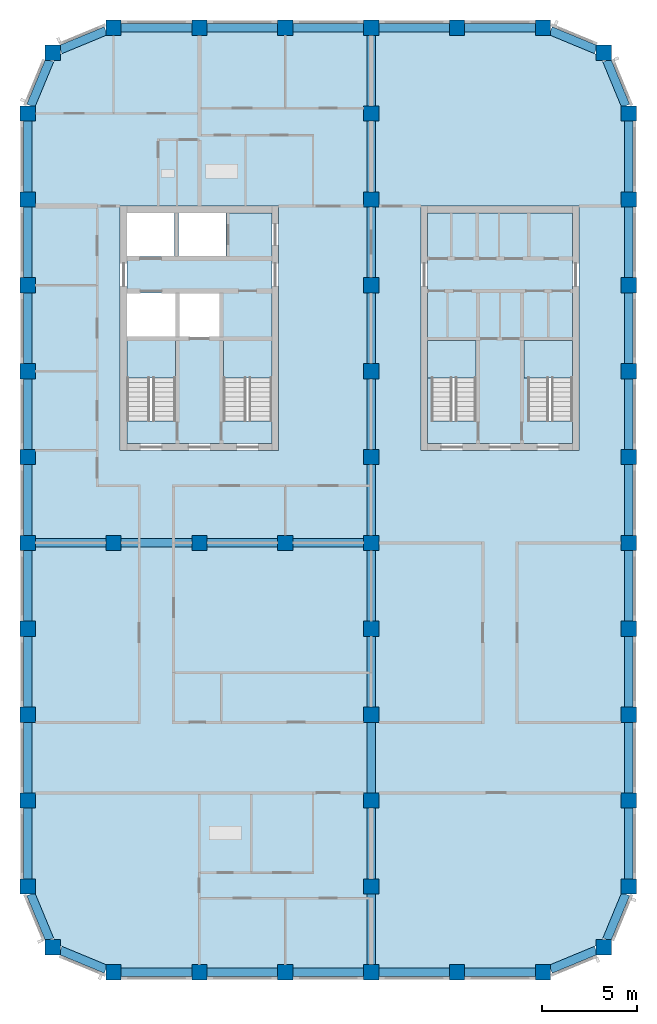
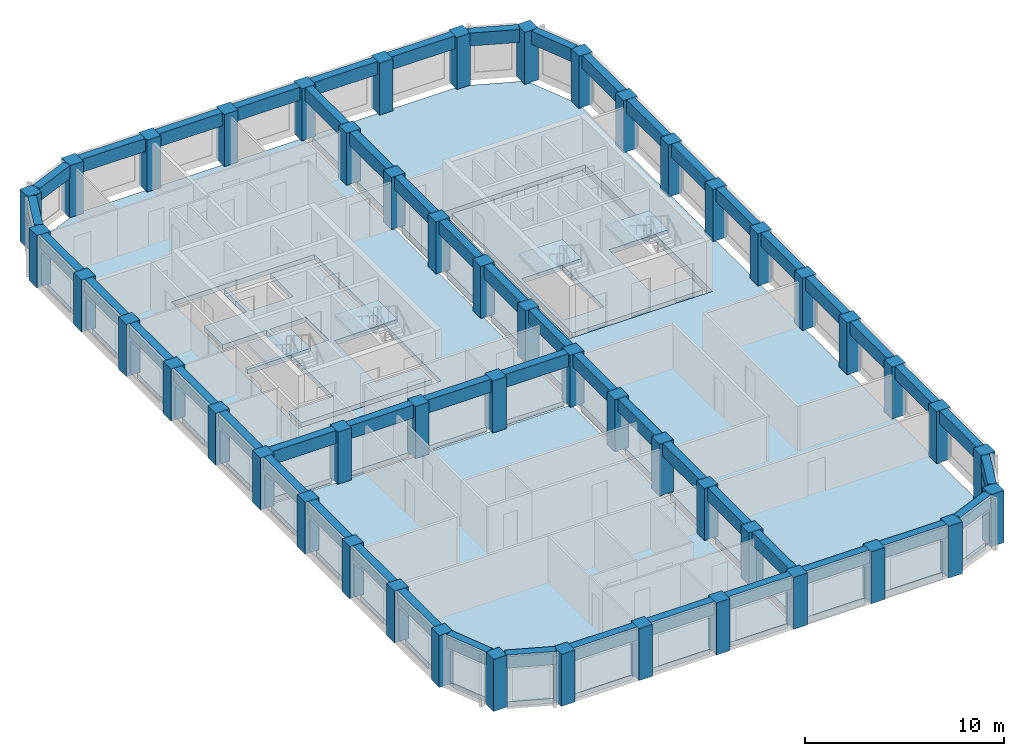
# One storey, part 1 of 9: 51 beams, 49 columns, 9 slabs, 4 elements without a shape of their own.
"""IFC4 building model written with IfcOpenShell, lengths in metres."""

from ifc_helpers import new_model, si_unit, direction, frame, origin, origin_2d, place, context, subcontext, project, spatial, polyline, rectangle, outline, extrude, material, layer, layer_set, material_profile, profile_set, type_object, element, aggregate, save


model = new_model("IFC4")

# Units and contexts
model_context = context("Model", 3, precision=1e-05, world=origin(), true_north=direction((0.0, 1.0)))
body_context = subcontext(model_context, "Body", "Model", "MODEL_VIEW")
ifc_project = project(units=[si_unit("LENGTHUNIT", "METRE"), si_unit("AREAUNIT", "SQUARE_METRE"), si_unit("VOLUMEUNIT", "CUBIC_METRE"), si_unit("PLANEANGLEUNIT", "RADIAN"), si_unit("MASSUNIT", "GRAM", prefix="KILO")], contexts=[model_context])

# Site, building, storey
site_placement = place(None, origin())
site = spatial("IfcSite", under=ifc_project, at=site_placement, CompositionType="ELEMENT")
building_placement = place(site_placement, origin())
building = spatial("IfcBuilding", under=site, at=building_placement, Name="Girih Gate Residences", CompositionType="ELEMENT")
storey_placement = place(building_placement, frame((0.0, 0.0, 222.89501953125)))
storey = spatial("IfcBuildingStorey", under=building, at=storey_placement, Name="L62", CompositionType="ELEMENT", Elevation=222.89501953125)

# Columns
ifc_material_1 = material(Name="Concrete C60/75", Category="concrete")
ifc_material_profile_1 = material_profile(ifc_material_1, rectangle(XDim=0.800048828125, YDim=0.800048828125, at=origin_2d()))
ifc_profile_set_1 = profile_set([ifc_material_profile_1], Name="Concrete C60/75")
column_type = type_object("IfcColumnType", Name="Pier RC 800x800 Concrete C60/75", PredefinedType="COLUMN", material=ifc_profile_set_1)
for number, where, z_axis, x_axis, name in (
    (1, (4.5, 0.0, 0.0), (0.0, 0.0, 1.0), (1.0, 0.0, 0.0), "Pier P2A L62"),
    (2, (9.0, 0.0, 0.0), (0.0, 0.0, 1.0), (1.0, 0.0, 0.0), "Pier P3A L62"),
    (3, (13.5, 0.0, 0.0), (0.0, 0.0, 1.0), (1.0, 0.0, 0.0), "Pier P4A L62"),
    (4, (18.0, 0.0, 0.0), (0.0, 0.0, 1.0), (1.0, 0.0, 0.0), "Pier P5A L62"),
    (5, (22.5, 0.0, 0.0), (0.0, 0.0, 1.0), (1.0, 0.0, 0.0), "Pier P6A L62"),
    (6, (27.0, 0.0, 0.0), (0.0, 0.0, 1.0), (1.0, 0.0, 0.0), "Pier P7A L62"),
    (7, (1.318115234375, 1.318115234375, 0.0), (0.0, 0.0, 1.0), (1.0, 0.0, 0.0), "Pier P1ANE L62"),
    (8, (30.181884765625, 1.318115234375, 0.0), (0.0, 0.0, 1.0), (1.0, 0.0, 0.0), "Pier P8ANW L62"),
    (9, (0.0, 4.5, 0.0), (0.0, 0.0, 1.0), (1.0, 0.0, 0.0), "Pier P1B L62"),
    (10, (18.0, 4.5, 0.0), (0.0, 0.0, 1.0), (1.0, 0.0, 0.0), "Pier P5B L62"),
    (11, (31.5, 4.5, 0.0), (0.0, 0.0, 1.0), (1.0, 0.0, 0.0), "Pier P8B L62"),
    (12, (0.0, 9.0, 0.0), (0.0, 0.0, 1.0), (1.0, 0.0, 0.0), "Pier P1C L62"),
    (13, (18.0, 9.0, 0.0), (0.0, 0.0, 1.0), (1.0, 0.0, 0.0), "Pier P5C L62"),
    (14, (31.5, 9.0, 0.0), (0.0, 0.0, 1.0), (1.0, 0.0, 0.0), "Pier P8C L62"),
    (15, (0.0, 13.5, 0.0), (0.0, 0.0, 1.0), (1.0, 0.0, 0.0), "Pier P1D L62"),
    (16, (18.0, 13.5, 0.0), (0.0, 0.0, 1.0), (1.0, 0.0, 0.0), "Pier P5D L62"),
    (17, (31.5, 13.5, 0.0), (0.0, 0.0, 1.0), (1.0, 0.0, 0.0), "Pier P8D L62"),
    (18, (0.0, 18.0, 0.0), (0.0, 0.0, 1.0), (1.0, 0.0, 0.0), "Pier P1E L62"),
    (19, (18.0, 18.0, 0.0), (0.0, 0.0, 1.0), (1.0, 0.0, 0.0), "Pier P5E L62"),
    (20, (31.5, 18.0, 0.0), (0.0, 0.0, 1.0), (1.0, 0.0, 0.0), "Pier P8E L62"),
    (21, (0.0, 22.5, 0.0), (0.0, 0.0, 1.0), (1.0, 0.0, 0.0), "Pier P1F L62"),
    (22, (4.5, 22.5, 0.0), (0.0, 0.0, 1.0), (1.0, 0.0, 0.0), "Pier P2F L62"),
    (23, (9.0, 22.5, 0.0), (0.0, 0.0, 1.0), (1.0, 0.0, 0.0), "Pier P3F L62"),
    (24, (13.5, 22.5, 0.0), (0.0, 0.0, 1.0), (1.0, 0.0, 0.0), "Pier P4F L62"),
    (25, (18.0, 22.5, 0.0), (0.0, 0.0, 1.0), (1.0, 0.0, 0.0), "Pier P5F L62"),
    (26, (31.5, 22.5, 0.0), (0.0, 0.0, 1.0), (1.0, 0.0, 0.0), "Pier P8F L62"),
    (27, (0.0, 27.0, 0.0), (0.0, 0.0, 1.0), (1.0, 0.0, 0.0), "Pier P1G L62"),
    (28, (18.0, 27.0, 0.0), (0.0, 0.0, 1.0), (1.0, 0.0, 0.0), "Pier P5G L62"),
    (29, (31.5, 27.0, 0.0), (0.0, 0.0, 1.0), (1.0, 0.0, 0.0), "Pier P8G L62"),
    (30, (0.0, 31.5, 0.0), (0.0, 0.0, 1.0), (1.0, 0.0, 0.0), "Pier P1H L62"),
    (31, (18.0, 31.5, 0.0), (0.0, 0.0, 1.0), (1.0, 0.0, 0.0), "Pier P5H L62"),
    (32, (31.5, 31.5, 0.0), (0.0, 0.0, 1.0), (1.0, 0.0, 0.0), "Pier P8H L62"),
    (33, (0.0, 36.0, 0.0), (0.0, 0.0, 1.0), (1.0, 0.0, 0.0), "Pier P1I L62"),
    (34, (18.0, 36.0, 0.0), (0.0, 0.0, 1.0), (1.0, 0.0, 0.0), "Pier P5I L62"),
    (35, (31.5, 36.0, 0.0), (0.0, 0.0, 1.0), (1.0, 0.0, 0.0), "Pier P8I L62"),
    (36, (0.0, 40.5, 0.0), (0.0, 0.0, 1.0), (1.0, 0.0, 0.0), "Pier P1J L62"),
    (37, (18.0, 40.5, 0.0), (0.0, 0.0, 1.0), (1.0, 0.0, 0.0), "Pier P5J L62"),
    (38, (31.5, 40.5, 0.0), (0.0, 0.0, 1.0), (1.0, 0.0, 0.0), "Pier P8J L62"),
    (39, (0.0, 45.0, 0.0), (0.0, 0.0, 1.0), (1.0, 0.0, 0.0), "Pier P1K L62"),
    (40, (18.0, 45.0, 0.0), (0.0, 0.0, 1.0), (1.0, 0.0, 0.0), "Pier P5K L62"),
    (41, (31.5, 45.0, 0.0), (0.0, 0.0, 1.0), (1.0, 0.0, 0.0), "Pier P8K L62"),
    (42, (1.318115234375, 48.181884765625, 0.0), (0.0, 0.0, 1.0), (1.0, 0.0, 0.0), "Pier P1LSE L62"),
    (43, (30.181884765625, 48.181884765625, 0.0), (0.0, 0.0, 1.0), (1.0, 0.0, 0.0), "Pier P8LSW L62"),
    (44, (4.5, 49.5, 0.0), (0.0, 0.0, 1.0), (1.0, 0.0, 0.0), "Pier P2L L62"),
    (45, (9.0, 49.5, 0.0), (0.0, 0.0, 1.0), (1.0, 0.0, 0.0), "Pier P3L L62"),
    (46, (13.5, 49.5, 0.0), (0.0, 0.0, 1.0), (1.0, 0.0, 0.0), "Pier P4L L62"),
    (47, (18.0, 49.5, 0.0), (0.0, 0.0, 1.0), (1.0, 0.0, 0.0), "Pier P5L L62"),
    (48, (22.5, 49.5, 0.0), (0.0, 0.0, 1.0), (1.0, 0.0, 0.0), "Pier P6L L62"),
    (49, (27.0, 49.5, 0.0), (0.0, 0.0, 1.0), (1.0, 0.0, 0.0), "Pier P7L L62"),
):
    element("IfcColumn", number, at=place(storey_placement, frame(where, z_axis=z_axis, x_axis=x_axis)), inside=storey, type_object=column_type, Name=name, PredefinedType="COLUMN", context=body_context, shape_type="SweptSolid", body=[
        extrude(rectangle(XDim=0.800048828125, YDim=0.800048828125, at=origin_2d()), origin(), (0.0, 0.0, 1.0), 3.199951171875),
    ])

# Beams
ifc_material_profile_2 = material_profile(ifc_material_1, rectangle(XDim=0.449951171875, YDim=0.800048828125, at=origin_2d()))
ifc_profile_set_2 = profile_set([ifc_material_profile_2], Name="Concrete C60/75")
beam_type = type_object("IfcBeamType", Name="Spandrel girder RC 450x800 Concrete C60/75", PredefinedType="BEAM", material=ifc_profile_set_2)
for number, where, z_axis, x_axis, name in (
    (50, (27.39990234375, 0.165771484375, 2.800048828125), (0.923895659062, 0.382644497107, 0.0), (-0.382644497107, 0.923895659062, 0.0), "Spandrel girder SP-P7A-P8ANW L62"),
    (51, (30.34765625, 1.718017578125, 2.800048828125), (0.382644497107, 0.923895659062, 0.0), (-0.923895659062, 0.382644497107, 0.0), "Spandrel girder SP-P8ANW-P8B L62"),
):
    element("IfcBeam", number, at=place(storey_placement, frame(where, z_axis=z_axis, x_axis=x_axis)), inside=storey, type_object=beam_type, Name=name, PredefinedType="BEAM", context=body_context, shape_type="SweptSolid", body=[
        extrude(rectangle(XDim=0.449951171875, YDim=0.800048828125, at=origin_2d()), origin(), (0.0, 0.0, 1.0), 2.578369140625),
    ])
for number, where, z_axis, x_axis, name in (
    (52, (31.5, 4.89990234375, 2.800048828125), (0.0, 1.0, 0.0), (-1.0, 0.0, 0.0), "Spandrel girder SP-P8B-P8C L62"),
    (53, (31.5, 9.39990234375, 2.800048828125), (0.0, 1.0, 0.0), (-1.0, 0.0, 0.0), "Spandrel girder SP-P8C-P8D L62"),
    (54, (31.5, 13.89990234375, 2.800048828125), (0.0, 1.0, 0.0), (-1.0, 0.0, 0.0), "Spandrel girder SP-P8D-P8E L62"),
    (55, (31.5, 18.39990234375, 2.800048828125), (0.0, 1.0, 0.0), (-1.0, 0.0, 0.0), "Spandrel girder SP-P8E-P8F L62"),
    (56, (31.5, 22.89990234375, 2.800048828125), (0.0, 1.0, 0.0), (-1.0, 0.0, 0.0), "Spandrel girder SP-P8F-P8G L62"),
    (57, (31.5, 27.39990234375, 2.800048828125), (0.0, 1.0, 0.0), (-1.0, 0.0, 0.0), "Spandrel girder SP-P8G-P8H L62"),
    (58, (31.5, 31.89990234375, 2.800048828125), (0.0, 1.0, 0.0), (-1.0, 0.0, 0.0), "Spandrel girder SP-P8H-P8I L62"),
    (59, (31.5, 36.39990234375, 2.800048828125), (0.0, 1.0, 0.0), (-1.0, 0.0, 0.0), "Spandrel girder SP-P8I-P8J L62"),
    (60, (31.5, 40.89990234375, 2.800048828125), (0.0, 1.0, 0.0), (-1.0, 0.0, 0.0), "Spandrel girder SP-P8J-P8K L62"),
):
    element("IfcBeam", number, at=place(storey_placement, frame(where, z_axis=z_axis, x_axis=x_axis)), inside=storey, type_object=beam_type, Name=name, PredefinedType="BEAM", context=body_context, shape_type="SweptSolid", body=[
        extrude(rectangle(XDim=0.449951171875, YDim=0.800048828125, at=origin_2d()), origin(), (0.0, 0.0, 1.0), 3.7001953125),
    ])
for number, where, z_axis, x_axis, name in (
    (61, (31.334228515625, 45.39990234375, 2.800048828125), (-0.382644497107, 0.923895659062, 0.0), (-0.923895659062, -0.382644497107, 0.0), "Spandrel girder SP-P8K-P8LSW L62"),
    (62, (29.781982421875, 48.34765625, 2.800048828125), (-0.923895659062, 0.382644497107, 0.0), (-0.382644497107, -0.923895659062, 0.0), "Spandrel girder SP-P8LSW-P7L L62"),
):
    element("IfcBeam", number, at=place(storey_placement, frame(where, z_axis=z_axis, x_axis=x_axis)), inside=storey, type_object=beam_type, Name=name, PredefinedType="BEAM", context=body_context, shape_type="SweptSolid", body=[
        extrude(rectangle(XDim=0.449951171875, YDim=0.800048828125, at=origin_2d()), origin(), (0.0, 0.0, 1.0), 2.578369140625),
    ])
for number, where, z_axis, x_axis, name in (
    (63, (26.60009765625, 49.5, 2.800048828125), (-1.0, 0.0, 0.0), (0.0, -1.0, 0.0), "Spandrel girder SP-P7L-P6L L62"),
    (64, (22.10009765625, 49.5, 2.800048828125), (-1.0, 0.0, 0.0), (0.0, -1.0, 0.0), "Spandrel girder SP-P6L-P5L L62"),
    (65, (17.60009765625, 49.5, 2.800048828125), (-1.0, 0.0, 0.0), (0.0, -1.0, 0.0), "Spandrel girder SP-P5L-P4L L62"),
    (66, (13.10009765625, 49.5, 2.800048828125), (-1.0, 0.0, 0.0), (0.0, -1.0, 0.0), "Spandrel girder SP-P4L-P3L L62"),
    (67, (8.60009765625, 49.5, 2.800048828125), (-1.0, 0.0, 0.0), (0.0, -1.0, 0.0), "Spandrel girder SP-P3L-P2L L62"),
):
    element("IfcBeam", number, at=place(storey_placement, frame(where, z_axis=z_axis, x_axis=x_axis)), inside=storey, type_object=beam_type, Name=name, PredefinedType="BEAM", context=body_context, shape_type="SweptSolid", body=[
        extrude(rectangle(XDim=0.449951171875, YDim=0.800048828125, at=origin_2d()), origin(), (0.0, 0.0, 1.0), 3.7001953125),
    ])
for number, where, z_axis, x_axis, name in (
    (68, (4.10009765625, 49.334228515625, 2.800048828125), (-0.923895659062, -0.382644497107, 0.0), (0.382644497107, -0.923895659062, 0.0), "Spandrel girder SP-P2L-P1LSE L62"),
    (69, (1.15234375, 47.781982421875, 2.800048828125), (-0.382644497107, -0.923895659062, 0.0), (0.923895659062, -0.382644497107, 0.0), "Spandrel girder SP-P1LSE-P1K L62"),
):
    element("IfcBeam", number, at=place(storey_placement, frame(where, z_axis=z_axis, x_axis=x_axis)), inside=storey, type_object=beam_type, Name=name, PredefinedType="BEAM", context=body_context, shape_type="SweptSolid", body=[
        extrude(rectangle(XDim=0.449951171875, YDim=0.800048828125, at=origin_2d()), origin(), (0.0, 0.0, 1.0), 2.578369140625),
    ])
for number, where, z_axis, x_axis, name in (
    (70, (0.0, 44.60009765625, 2.800048828125), (0.0, -1.0, 0.0), (1.0, 0.0, 0.0), "Spandrel girder SP-P1K-P1J L62"),
    (71, (0.0, 40.10009765625, 2.800048828125), (0.0, -1.0, 0.0), (1.0, 0.0, 0.0), "Spandrel girder SP-P1J-P1I L62"),
    (72, (0.0, 35.60009765625, 2.800048828125), (0.0, -1.0, 0.0), (1.0, 0.0, 0.0), "Spandrel girder SP-P1I-P1H L62"),
    (73, (0.0, 31.10009765625, 2.800048828125), (0.0, -1.0, 0.0), (1.0, 0.0, 0.0), "Spandrel girder SP-P1H-P1G L62"),
    (74, (0.0, 26.60009765625, 2.800048828125), (0.0, -1.0, 0.0), (1.0, 0.0, 0.0), "Spandrel girder SP-P1G-P1F L62"),
    (75, (0.0, 22.10009765625, 2.800048828125), (0.0, -1.0, 0.0), (1.0, 0.0, 0.0), "Spandrel girder SP-P1F-P1E L62"),
    (76, (0.0, 17.60009765625, 2.800048828125), (0.0, -1.0, 0.0), (1.0, 0.0, 0.0), "Spandrel girder SP-P1E-P1D L62"),
    (77, (0.0, 13.10009765625, 2.800048828125), (0.0, -1.0, 0.0), (1.0, 0.0, 0.0), "Spandrel girder SP-P1D-P1C L62"),
    (78, (0.0, 8.60009765625, 2.800048828125), (0.0, -1.0, 0.0), (1.0, 0.0, 0.0), "Spandrel girder SP-P1C-P1B L62"),
):
    element("IfcBeam", number, at=place(storey_placement, frame(where, z_axis=z_axis, x_axis=x_axis)), inside=storey, type_object=beam_type, Name=name, PredefinedType="BEAM", context=body_context, shape_type="SweptSolid", body=[
        extrude(rectangle(XDim=0.449951171875, YDim=0.800048828125, at=origin_2d()), origin(), (0.0, 0.0, 1.0), 3.7001953125),
    ])
for number, where, z_axis, x_axis, name in (
    (79, (0.165771484375, 4.10009765625, 2.800048828125), (0.382644497107, -0.923895659062, 0.0), (0.923895659062, 0.382644497107, 0.0), "Spandrel girder SP-P1B-P1ANE L62"),
    (80, (1.718017578125, 1.15234375, 2.800048828125), (0.923895659062, -0.382644497107, 0.0), (0.382644497107, 0.923895659062, 0.0), "Spandrel girder SP-P1ANE-P2A L62"),
):
    element("IfcBeam", number, at=place(storey_placement, frame(where, z_axis=z_axis, x_axis=x_axis)), inside=storey, type_object=beam_type, Name=name, PredefinedType="BEAM", context=body_context, shape_type="SweptSolid", body=[
        extrude(rectangle(XDim=0.449951171875, YDim=0.800048828125, at=origin_2d()), origin(), (0.0, 0.0, 1.0), 2.578369140625),
    ])
for number, where, z_axis, x_axis, name in (
    (81, (4.89990234375, 0.0, 2.800048828125), (1.0, 0.0, 0.0), (0.0, 1.0, 0.0), "Spandrel girder SP-P2A-P3A L62"),
    (82, (9.39990234375, 0.0, 2.800048828125), (1.0, 0.0, 0.0), (0.0, 1.0, 0.0), "Spandrel girder SP-P3A-P4A L62"),
    (83, (13.89990234375, 0.0, 2.800048828125), (1.0, 0.0, 0.0), (0.0, 1.0, 0.0), "Spandrel girder SP-P4A-P5A L62"),
    (84, (18.39990234375, 0.0, 2.800048828125), (1.0, 0.0, 0.0), (0.0, 1.0, 0.0), "Spandrel girder SP-P5A-P6A L62"),
    (85, (22.89990234375, 0.0, 2.800048828125), (1.0, 0.0, 0.0), (0.0, 1.0, 0.0), "Spandrel girder SP-P6A-P7A L62"),
    (86, (18.0, 0.39990234375, 2.800048828125), (0.0, 1.0, 0.0), (-1.0, 0.0, 0.0), "Spandrel girder SP-P5A-P5B L62"),
    (87, (18.0, 4.89990234375, 2.800048828125), (0.0, 1.0, 0.0), (-1.0, 0.0, 0.0), "Spandrel girder SP-P5B-P5C L62"),
    (88, (18.0, 9.39990234375, 2.800048828125), (0.0, 1.0, 0.0), (-1.0, 0.0, 0.0), "Spandrel girder SP-P5C-P5D L62"),
    (89, (18.0, 13.89990234375, 2.800048828125), (0.0, 1.0, 0.0), (-1.0, 0.0, 0.0), "Spandrel girder SP-P5D-P5E L62"),
    (90, (18.0, 18.39990234375, 2.800048828125), (0.0, 1.0, 0.0), (-1.0, 0.0, 0.0), "Spandrel girder SP-P5E-P5F L62"),
    (91, (18.0, 22.89990234375, 2.800048828125), (0.0, 1.0, 0.0), (-1.0, 0.0, 0.0), "Spandrel girder SP-P5F-P5G L62"),
    (92, (18.0, 27.39990234375, 2.800048828125), (0.0, 1.0, 0.0), (-1.0, 0.0, 0.0), "Spandrel girder SP-P5G-P5H L62"),
    (93, (18.0, 31.89990234375, 2.800048828125), (0.0, 1.0, 0.0), (-1.0, 0.0, 0.0), "Spandrel girder SP-P5H-P5I L62"),
    (94, (18.0, 36.39990234375, 2.800048828125), (0.0, 1.0, 0.0), (-1.0, 0.0, 0.0), "Spandrel girder SP-P5I-P5J L62"),
    (95, (18.0, 40.89990234375, 2.800048828125), (0.0, 1.0, 0.0), (-1.0, 0.0, 0.0), "Spandrel girder SP-P5J-P5K L62"),
    (96, (18.0, 45.39990234375, 2.800048828125), (0.0, 1.0, 0.0), (-1.0, 0.0, 0.0), "Spandrel girder SP-P5K-P5L L62"),
    (97, (0.39990234375, 22.5, 2.800048828125), (1.0, 0.0, 0.0), (0.0, 1.0, 0.0), "Spandrel girder SP-P1F-P2F L62"),
    (98, (4.89990234375, 22.5, 2.800048828125), (1.0, 0.0, 0.0), (0.0, 1.0, 0.0), "Spandrel girder SP-P2F-P3F L62"),
    (99, (9.39990234375, 22.5, 2.800048828125), (1.0, 0.0, 0.0), (0.0, 1.0, 0.0), "Spandrel girder SP-P3F-P4F L62"),
    (100, (13.89990234375, 22.5, 2.800048828125), (1.0, 0.0, 0.0), (0.0, 1.0, 0.0), "Spandrel girder SP-P4F-P5F L62"),
):
    element("IfcBeam", number, at=place(storey_placement, frame(where, z_axis=z_axis, x_axis=x_axis)), inside=storey, type_object=beam_type, Name=name, PredefinedType="BEAM", context=body_context, shape_type="SweptSolid", body=[
        extrude(rectangle(XDim=0.449951171875, YDim=0.800048828125, at=origin_2d()), origin(), (0.0, 0.0, 1.0), 3.7001953125),
    ])

# Slabs
ifc_material_2 = material(Name="Concrete C40/50", Category="concrete")
ifc_layer_1 = layer(ifc_material_2, 0.300048828125)
ifc_layer_set_1 = layer_set([ifc_layer_1], Name="Core floor slab 300")
slab_type_1 = type_object("IfcSlabType", Name="Core floor slab 300", PredefinedType="FLOOR", material=ifc_layer_set_1)
slab_1_placement = place(storey_placement, frame((0.0, 0.0, -0.300048828125)))
element("IfcSlab", 101, at=slab_1_placement, inside=storey, type_object=slab_type_1, Name="L62 W core floor", PredefinedType="FLOOR", context=body_context, shape_type="SweptSolid", body=[
    extrude(outline(polyline([(12.800048828125, 27.699951171875), (5.199951171875, 27.699951171875), (5.199951171875, 28.900634765625), (7.75, 28.900634765625), (7.75, 33.10009765625), (5.199951171875, 33.10009765625), (5.199951171875, 33.300048828125), (7.75, 33.300048828125), (7.75, 35.60009765625), (5.199951171875, 35.60009765625), (5.199951171875, 37.5), (7.699951171875, 37.5), (7.699951171875, 39.800048828125), (7.89990234375, 39.800048828125), (7.89990234375, 37.5), (10.39990234375, 37.5), (10.39990234375, 39.800048828125), (12.800048828125, 39.800048828125), (12.800048828125, 33.10009765625), (10.25, 33.10009765625), (10.25, 28.900634765625), (12.800048828125, 28.900634765625), (12.800048828125, 27.699951171875)]), holes=[polyline([(7.949951171875, 33.300048828125), (10.050048828125, 33.300048828125), (10.050048828125, 35.60009765625), (7.949951171875, 35.60009765625), (7.949951171875, 33.300048828125)])]), origin(), (0.0, 0.0, 1.0), 0.300048828125),
])
slab_2_placement = place(storey_placement, frame((0.0, 0.0, -0.300048828125)))
element("IfcSlab", 102, at=slab_2_placement, inside=storey, type_object=slab_type_1, Name="L62 C core floor", PredefinedType="FLOOR", context=body_context, shape_type="SweptSolid", body=[
    extrude(outline(polyline([(28.550048828125, 27.699951171875), (20.949951171875, 27.699951171875), (20.949951171875, 39.800048828125), (28.550048828125, 39.800048828125), (28.550048828125, 33.10009765625), (26.199951171875, 33.10009765625), (26.199951171875, 28.900634765625), (28.550048828125, 28.900634765625), (28.550048828125, 27.699951171875)]), holes=[polyline([(23.5, 28.900634765625), (23.5, 33.10009765625), (21.14990234375, 33.10009765625), (21.14990234375, 28.900634765625), (23.5, 28.900634765625)])]), origin(), (0.0, 0.0, 1.0), 0.300048828125),
])
ifc_layer_2 = layer(ifc_material_2, 0.300048828125)
ifc_layer_set_2 = layer_set([ifc_layer_2], Name="Floor slab PT 300 Concrete C40/50")
slab_type_2 = type_object("IfcSlabType", Name="Floor slab PT 300 Concrete C40/50", PredefinedType="FLOOR", material=ifc_layer_set_2)
slab_3_placement = place(storey_placement, frame((0.0, 0.0, -0.300048828125)))
element("IfcSlab", 103, at=slab_3_placement, inside=storey, type_object=slab_type_2, Name="Floor slab L62 0", PredefinedType="FLOOR", context=body_context, shape_type="SweptSolid", body=[
    extrude(outline(polyline([(13.89990234375, 0.22509765625), (17.60009765625, 0.22509765625), (17.60009765625, 0.39990234375), (17.77490234375, 0.39990234375), (17.77490234375, 4.10009765625), (17.60009765625, 4.10009765625), (17.60009765625, 4.89990234375), (17.77490234375, 4.89990234375), (17.77490234375, 8.60009765625), (17.60009765625, 8.60009765625), (17.60009765625, 9.39990234375), (17.77490234375, 9.39990234375), (17.77490234375, 13.10009765625), (17.60009765625, 13.10009765625), (17.60009765625, 13.89990234375), (17.77490234375, 13.89990234375), (17.77490234375, 17.60009765625), (17.60009765625, 17.60009765625), (17.60009765625, 18.39990234375), (17.77490234375, 18.39990234375), (17.77490234375, 22.10009765625), (17.60009765625, 22.10009765625), (17.60009765625, 22.27490234375), (13.89990234375, 22.27490234375), (13.89990234375, 22.10009765625), (13.10009765625, 22.10009765625), (13.10009765625, 22.27490234375), (9.39990234375, 22.27490234375), (9.39990234375, 22.10009765625), (8.60009765625, 22.10009765625), (8.60009765625, 22.27490234375), (4.89990234375, 22.27490234375), (4.89990234375, 22.10009765625), (4.10009765625, 22.10009765625), (4.10009765625, 22.27490234375), (0.39990234375, 22.27490234375), (0.39990234375, 22.10009765625), (0.22509765625, 22.10009765625), (0.22509765625, 18.39990234375), (0.39990234375, 18.39990234375), (0.39990234375, 17.60009765625), (0.22509765625, 17.60009765625), (0.22509765625, 13.89990234375), (0.39990234375, 13.89990234375), (0.39990234375, 13.10009765625), (0.22509765625, 13.10009765625), (0.22509765625, 9.39990234375), (0.39990234375, 9.39990234375), (0.39990234375, 8.60009765625), (0.22509765625, 8.60009765625), (0.22509765625, 4.89990234375), (0.39990234375, 4.89990234375), (0.39990234375, 4.122314453125), (1.395751953125, 1.718017578125), (1.718017578125, 1.718017578125), (1.718017578125, 1.395751953125), (4.122314453125, 0.39990234375), (4.89990234375, 0.39990234375), (4.89990234375, 0.22509765625), (8.60009765625, 0.22509765625), (8.60009765625, 0.39990234375), (9.39990234375, 0.39990234375), (9.39990234375, 0.22509765625), (13.10009765625, 0.22509765625), (13.10009765625, 0.39990234375), (13.89990234375, 0.39990234375), (13.89990234375, 0.22509765625)])), origin(), (0.0, 0.0, 1.0), 0.300048828125),
])
slab_4_placement = place(storey_placement, frame((0.0, 0.0, -0.300048828125)))
element("IfcSlab", 104, at=slab_4_placement, inside=storey, type_object=slab_type_2, Name="Floor slab L62 2", PredefinedType="FLOOR", context=body_context, shape_type="SweptSolid", body=[
    extrude(outline(polyline([(0.22509765625, 26.60009765625), (0.22509765625, 22.89990234375), (0.39990234375, 22.89990234375), (0.39990234375, 22.72509765625), (4.10009765625, 22.72509765625), (4.10009765625, 22.89990234375), (4.89990234375, 22.89990234375), (4.89990234375, 22.72509765625), (8.60009765625, 22.72509765625), (8.60009765625, 22.89990234375), (9.39990234375, 22.89990234375), (9.39990234375, 22.72509765625), (13.10009765625, 22.72509765625), (13.10009765625, 22.89990234375), (13.89990234375, 22.89990234375), (13.89990234375, 22.72509765625), (17.60009765625, 22.72509765625), (17.60009765625, 22.89990234375), (17.77490234375, 22.89990234375), (17.77490234375, 26.60009765625), (17.60009765625, 26.60009765625), (17.60009765625, 27.39990234375), (17.77490234375, 27.39990234375), (17.77490234375, 31.10009765625), (17.60009765625, 31.10009765625), (17.60009765625, 31.89990234375), (17.77490234375, 31.89990234375), (17.77490234375, 35.60009765625), (17.60009765625, 35.60009765625), (17.60009765625, 36.39990234375), (17.77490234375, 36.39990234375), (17.77490234375, 40.10009765625), (17.60009765625, 40.10009765625), (17.60009765625, 40.89990234375), (17.77490234375, 40.89990234375), (17.77490234375, 44.60009765625), (17.60009765625, 44.60009765625), (17.60009765625, 45.39990234375), (17.77490234375, 45.39990234375), (17.77490234375, 49.10009765625), (17.60009765625, 49.10009765625), (17.60009765625, 49.27490234375), (13.89990234375, 49.27490234375), (13.89990234375, 49.10009765625), (13.10009765625, 49.10009765625), (13.10009765625, 49.27490234375), (9.39990234375, 49.27490234375), (9.39990234375, 49.10009765625), (8.60009765625, 49.10009765625), (8.60009765625, 49.27490234375), (4.89990234375, 49.27490234375), (4.89990234375, 49.10009765625), (4.122314453125, 49.10009765625), (1.718017578125, 48.104248046875), (1.718017578125, 47.781982421875), (1.395751953125, 47.781982421875), (0.39990234375, 45.377685546875), (0.39990234375, 44.60009765625), (0.22509765625, 44.60009765625), (0.22509765625, 40.89990234375), (0.39990234375, 40.89990234375), (0.39990234375, 40.10009765625), (0.22509765625, 40.10009765625), (0.22509765625, 36.39990234375), (0.39990234375, 36.39990234375), (0.39990234375, 35.60009765625), (0.22509765625, 35.60009765625), (0.22509765625, 31.89990234375), (0.39990234375, 31.89990234375), (0.39990234375, 31.10009765625), (0.22509765625, 31.10009765625), (0.22509765625, 27.39990234375), (0.39990234375, 27.39990234375), (0.39990234375, 26.60009765625), (0.22509765625, 26.60009765625)]), holes=[polyline([(13.14990234375, 40.14990234375), (13.14990234375, 27.35009765625), (4.85009765625, 27.35009765625), (4.85009765625, 40.14990234375), (13.14990234375, 40.14990234375)])]), origin(), (0.0, 0.0, 1.0), 0.300048828125),
])
ifc_layer_3 = layer(ifc_material_2, 0.449951171875)
ifc_layer_set_3 = layer_set([ifc_layer_3], Name="Floor slab PT 450 Concrete C40/50")
slab_type_3 = type_object("IfcSlabType", Name="Floor slab PT 450 Concrete C40/50", PredefinedType="FLOOR", material=ifc_layer_set_3)
slab_5_placement = place(storey_placement, frame((0.0, 0.0, -0.449951171875)))
element("IfcSlab", 105, at=slab_5_placement, inside=storey, type_object=slab_type_3, Name="Floor slab L62 1", PredefinedType="FLOOR", context=body_context, shape_type="SweptSolid", body=[
    extrude(outline(polyline([(22.89990234375, 0.22509765625), (26.60009765625, 0.22509765625), (26.60009765625, 0.39990234375), (27.377685546875, 0.39990234375), (29.781982421875, 1.395751953125), (29.781982421875, 1.718017578125), (30.104248046875, 1.718017578125), (31.10009765625, 4.122314453125), (31.10009765625, 4.89990234375), (31.27490234375, 4.89990234375), (31.27490234375, 8.60009765625), (31.10009765625, 8.60009765625), (31.10009765625, 9.39990234375), (31.27490234375, 9.39990234375), (31.27490234375, 13.10009765625), (31.10009765625, 13.10009765625), (31.10009765625, 13.89990234375), (31.27490234375, 13.89990234375), (31.27490234375, 17.60009765625), (31.10009765625, 17.60009765625), (31.10009765625, 18.39990234375), (31.27490234375, 18.39990234375), (31.27490234375, 22.10009765625), (31.10009765625, 22.10009765625), (31.10009765625, 22.89990234375), (31.27490234375, 22.89990234375), (31.27490234375, 26.60009765625), (31.10009765625, 26.60009765625), (31.10009765625, 27.39990234375), (31.27490234375, 27.39990234375), (31.27490234375, 31.10009765625), (31.10009765625, 31.10009765625), (31.10009765625, 31.89990234375), (31.27490234375, 31.89990234375), (31.27490234375, 35.60009765625), (31.10009765625, 35.60009765625), (31.10009765625, 36.39990234375), (31.27490234375, 36.39990234375), (31.27490234375, 40.10009765625), (31.10009765625, 40.10009765625), (31.10009765625, 40.89990234375), (31.27490234375, 40.89990234375), (31.27490234375, 44.60009765625), (31.10009765625, 44.60009765625), (31.10009765625, 45.377685546875), (30.104248046875, 47.781982421875), (29.781982421875, 47.781982421875), (29.781982421875, 48.104248046875), (27.377685546875, 49.10009765625), (26.60009765625, 49.10009765625), (26.60009765625, 49.27490234375), (22.89990234375, 49.27490234375), (22.89990234375, 49.10009765625), (22.10009765625, 49.10009765625), (22.10009765625, 49.27490234375), (18.39990234375, 49.27490234375), (18.39990234375, 49.10009765625), (18.22509765625, 49.10009765625), (18.22509765625, 45.39990234375), (18.39990234375, 45.39990234375), (18.39990234375, 44.60009765625), (18.22509765625, 44.60009765625), (18.22509765625, 40.89990234375), (18.39990234375, 40.89990234375), (18.39990234375, 40.10009765625), (18.22509765625, 40.10009765625), (18.22509765625, 36.39990234375), (18.39990234375, 36.39990234375), (18.39990234375, 35.60009765625), (18.22509765625, 35.60009765625), (18.22509765625, 31.89990234375), (18.39990234375, 31.89990234375), (18.39990234375, 31.10009765625), (18.22509765625, 31.10009765625), (18.22509765625, 27.39990234375), (18.39990234375, 27.39990234375), (18.39990234375, 26.60009765625), (18.22509765625, 26.60009765625), (18.22509765625, 22.89990234375), (18.39990234375, 22.89990234375), (18.39990234375, 22.10009765625), (18.22509765625, 22.10009765625), (18.22509765625, 18.39990234375), (18.39990234375, 18.39990234375), (18.39990234375, 17.60009765625), (18.22509765625, 17.60009765625), (18.22509765625, 13.89990234375), (18.39990234375, 13.89990234375), (18.39990234375, 13.10009765625), (18.22509765625, 13.10009765625), (18.22509765625, 9.39990234375), (18.39990234375, 9.39990234375), (18.39990234375, 8.60009765625), (18.22509765625, 8.60009765625), (18.22509765625, 4.89990234375), (18.39990234375, 4.89990234375), (18.39990234375, 4.10009765625), (18.22509765625, 4.10009765625), (18.22509765625, 0.39990234375), (18.39990234375, 0.39990234375), (18.39990234375, 0.22509765625), (22.10009765625, 0.22509765625), (22.10009765625, 0.39990234375), (22.89990234375, 0.39990234375), (22.89990234375, 0.22509765625)]), holes=[polyline([(28.89990234375, 40.14990234375), (28.89990234375, 27.35009765625), (20.60009765625, 27.35009765625), (20.60009765625, 40.14990234375), (28.89990234375, 40.14990234375)])]), origin(), (0.0, 0.0, 1.0), 0.449951171875),
])

# Stair, slab
stair_type_1 = type_object("IfcStairType", Name="Exit stair", PredefinedType="HALF_TURN_STAIR", material=ifc_material_2)
stair_1_placement = place(storey_placement, origin())
stair_1 = element("IfcStair", 106, at=stair_1_placement, inside=storey, type_object=stair_type_1, Name="L62 Exit Stair ST-W1", PredefinedType="HALF_TURN_STAIR")
ifc_layer_4 = layer(ifc_material_2, 0.199951171875)
ifc_layer_set_4 = layer_set([ifc_layer_4], Name="Stair landing 200")
slab_type_4 = type_object("IfcSlabType", Name="Stair landing 200", PredefinedType="LANDING", material=ifc_layer_set_4)
slab_6_placement = place(storey_placement, frame((0.0, 0.0, 1.39990234375)))
slab_6 = element("IfcSlab", 107, at=slab_6_placement, type_object=slab_type_4, Name="ST-W1 landing 1", PredefinedType="LANDING", context=body_context, shape_type="SweptSolid", body=[
    extrude(outline(polyline([(7.75, 31.14990234375), (7.75, 33.10009765625), (5.199951171875, 33.10009765625), (5.199951171875, 31.14990234375), (7.75, 31.14990234375)])), origin(), (0.0, 0.0, 1.0), 0.2001953125),
])
aggregate(stair_1, [slab_6])

stair_2_placement = place(storey_placement, origin())
stair_2 = element("IfcStair", 108, at=stair_2_placement, inside=storey, type_object=stair_type_1, Name="L62 Exit Stair ST-W2", PredefinedType="HALF_TURN_STAIR")
slab_7_placement = place(storey_placement, frame((0.0, 0.0, 1.39990234375)))
slab_7 = element("IfcSlab", 109, at=slab_7_placement, type_object=slab_type_4, Name="ST-W2 landing 1", PredefinedType="LANDING", context=body_context, shape_type="SweptSolid", body=[
    extrude(outline(polyline([(12.800048828125, 31.14990234375), (12.800048828125, 33.10009765625), (10.25, 33.10009765625), (10.25, 31.14990234375), (12.800048828125, 31.14990234375)])), origin(), (0.0, 0.0, 1.0), 0.2001953125),
])
aggregate(stair_2, [slab_7])

stair_type_2 = type_object("IfcStairType", Name="Exit stair C core", PredefinedType="HALF_TURN_STAIR", material=ifc_material_2)
stair_3_placement = place(storey_placement, origin())
stair_3 = element("IfcStair", 110, at=stair_3_placement, inside=storey, type_object=stair_type_2, Name="L62 Exit Stair ST-C1", PredefinedType="HALF_TURN_STAIR")
slab_8_placement = place(storey_placement, frame((0.0, 0.0, 1.39990234375)))
slab_8 = element("IfcSlab", 111, at=slab_8_placement, type_object=slab_type_4, Name="ST-C1 landing 1", PredefinedType="LANDING", context=body_context, shape_type="SweptSolid", body=[
    extrude(outline(polyline([(23.5, 31.14990234375), (23.5, 33.10009765625), (20.949951171875, 33.10009765625), (20.949951171875, 31.14990234375), (23.5, 31.14990234375)])), origin(), (0.0, 0.0, 1.0), 0.2001953125),
])
aggregate(stair_3, [slab_8])

stair_4_placement = place(storey_placement, origin())
stair_4 = element("IfcStair", 112, at=stair_4_placement, inside=storey, type_object=stair_type_2, Name="L62 Exit Stair ST-C2", PredefinedType="HALF_TURN_STAIR")
slab_9_placement = place(storey_placement, frame((0.0, 0.0, 1.39990234375)))
slab_9 = element("IfcSlab", 113, at=slab_9_placement, type_object=slab_type_4, Name="ST-C2 landing 1", PredefinedType="LANDING", context=body_context, shape_type="SweptSolid", body=[
    extrude(outline(polyline([(28.550048828125, 31.14990234375), (28.550048828125, 33.10009765625), (26.0, 33.10009765625), (26.0, 31.14990234375), (28.550048828125, 31.14990234375)])), origin(), (0.0, 0.0, 1.0), 0.2001953125),
])
aggregate(stair_4, [slab_9])

save(model, "model.ifc")
